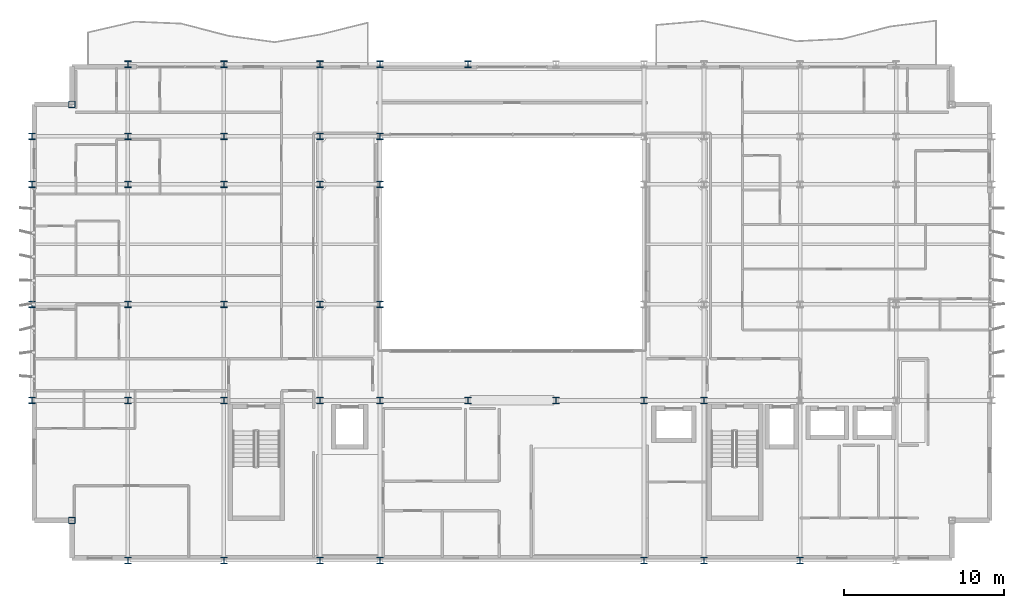
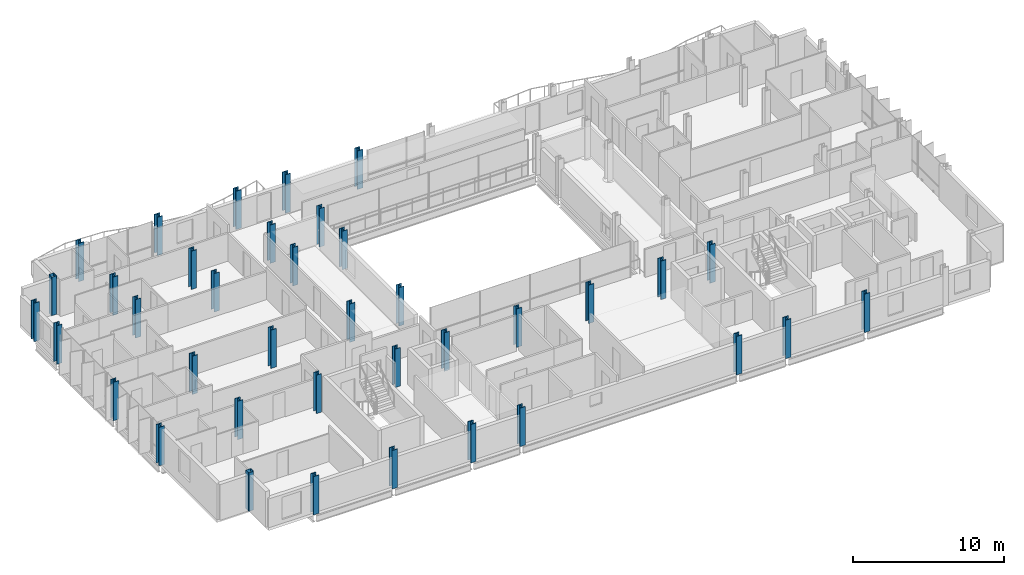
# One storey, part 1 of 40: 38 columns.
"""IFC4 building model written with IfcOpenShell, lengths in metres."""

import ifcopenshell
import ifcopenshell.guid

model = None  # the IFC model being written
_history = None  # IfcOwnerHistory: only IFC2X3 demands one
_inside = {}  # id of a spatial element -> (the spatial element, [elements in it])
_under = {}  # id of a project, library or spatial element -> (it, [spatial elements below it])
_declared = {}  # id of a project -> (the project, [libraries it declares])
_typed = {}  # id of a type object -> (the type object, [elements of that type])
_made_of = {}  # id of a material, layer set ... -> (it, [elements and type objects made of it])


def new_model(schema):
    """Start an empty IFC model of exactly this schema.

    Asked for "IFC4X3", IfcOpenShell would pick the latest addendum, in which some entities
    have other attributes; the version numbers below select the first issue.
    IFC2X3 requires an IfcOwnerHistory on every rooted entity: one is made here for all.
    """
    global model, _history
    if schema == "IFC4X3":
        model = ifcopenshell.file(schema_version=(4, 3, 0, 0))
    else:
        model = ifcopenshell.file(schema=schema)
    _inside.clear()
    _under.clear()
    _declared.clear()
    _typed.clear()
    _made_of.clear()
    _history = None
    if model.schema == "IFC2X3":
        org = make("IfcOrganization", Name="unknown")
        user = make(
            "IfcPersonAndOrganization",
            ThePerson=make("IfcPerson", FamilyName="unknown"),
            TheOrganization=org,
        )
        app = make(
            "IfcApplication",
            ApplicationDeveloper=org,
            Version="unknown",
            ApplicationFullName="unknown",
            ApplicationIdentifier="unknown",
        )
        _history = make(
            "IfcOwnerHistory",
            OwningUser=user,
            OwningApplication=app,
            ChangeAction="ADDED",
            CreationDate=0,
        )
    return model


def make(cls, **values):
    """One entity of the class cls with the attributes given. An attribute that is None is left unset."""
    return model.create_entity(
        cls, **{name: value for name, value in values.items() if value is not None}
    )


def rooted(cls, **values):
    """An entity with a GlobalId (a new one), such as an element, a storey or a relation."""
    return make(cls, GlobalId=ifcopenshell.guid.new(), OwnerHistory=_history, **values)


def si_unit(unit_type, name, prefix=None):
    """IfcSIUnit, for example si_unit("LENGTHUNIT", "METRE", prefix="MILLI")."""
    return make("IfcSIUnit", UnitType=unit_type, Prefix=prefix, Name=name)


def assignment(units):
    """IfcUnitAssignment: the units of a project."""
    return None if units is None else make("IfcUnitAssignment", Units=units)


def point(xyz):
    """IfcCartesianPoint."""
    return None if xyz is None else make("IfcCartesianPoint", Coordinates=xyz)


def direction(xyz):
    """IfcDirection."""
    return None if xyz is None else make("IfcDirection", DirectionRatios=xyz)


def frame(location, z_axis=None, x_axis=None):
    """IfcAxis2Placement3D, a coordinate frame: its origin and axes. An axis left out is left unset."""
    return make(
        "IfcAxis2Placement3D",
        Location=point(location),
        Axis=direction(z_axis),
        RefDirection=direction(x_axis),
    )


def frame_2d(location, x_axis=None):
    """IfcAxis2Placement2D, a coordinate frame in the plane: its origin and x axis."""
    return make(
        "IfcAxis2Placement2D", Location=point(location), RefDirection=direction(x_axis)
    )


def origin():
    """The frame at (0, 0, 0) with its axes left unset."""
    return frame((0.0, 0.0, 0.0))


def origin_2d():
    """The frame at (0, 0) in the plane with its x axis left unset."""
    return frame_2d((0.0, 0.0))


def place(relative_to, where):
    """IfcLocalPlacement: puts the frame where relative to a parent placement (None: the world)."""
    return make(
        "IfcLocalPlacement", PlacementRelTo=relative_to, RelativePlacement=where
    )


def context(
    kind, dimensions, precision=None, world=None, true_north=None, identifier=None
):
    """IfcGeometricRepresentationContext, for example the 3D "Model" context."""
    return make(
        "IfcGeometricRepresentationContext",
        ContextIdentifier=identifier,
        ContextType=kind,
        CoordinateSpaceDimension=dimensions,
        Precision=precision,
        WorldCoordinateSystem=world,
        TrueNorth=true_north,
    )


def subcontext(parent, identifier, kind, view, scale=None):
    """IfcGeometricRepresentationSubContext, for example "Body" below "Model"."""
    return make(
        "IfcGeometricRepresentationSubContext",
        ContextIdentifier=identifier,
        ContextType=kind,
        ParentContext=parent,
        TargetScale=scale,
        TargetView=view,
    )


def project(units=None, contexts=None):
    """IfcProject with its units and contexts."""
    return rooted(
        "IfcProject",
        Name="project",
        RepresentationContexts=contexts,
        UnitsInContext=assignment(units),
    )


def spatial(cls, under=None, at=None, **own):
    """A site, building, storey or space (cls), placed at a placement, below another one or the project."""
    s = rooted(cls, ObjectPlacement=at, **own)
    if under is not None:
        _under.setdefault(under.id(), (under, []))[1].append(s)
    return s


def profile(cls, at=None, kind="AREA", **sizes):
    """A parametric profile (cls). Its sizes go by their IFC names, for example OverallWidth=200.0."""
    return make(cls, ProfileType=kind, Position=at, **sizes)


def hollow_rectangle(**sizes):
    """IfcRectangleHollowProfileDef."""
    return profile("IfcRectangleHollowProfileDef", **sizes)


def i_section(**sizes):
    """IfcIShapeProfileDef."""
    return profile("IfcIShapeProfileDef", **sizes)


def extrude(swept, where, along, depth):
    """IfcExtrudedAreaSolid: the profile swept, set in the frame where, extruded along a direction by depth."""
    return make(
        "IfcExtrudedAreaSolid",
        SweptArea=swept,
        Position=where,
        ExtrudedDirection=direction(along),
        Depth=depth,
    )


def shape(context_of_items, identifier, shape_type, items):
    """IfcShapeRepresentation: the items that make up one representation, for example the "Body"."""
    return make(
        "IfcShapeRepresentation",
        ContextOfItems=context_of_items,
        RepresentationIdentifier=identifier,
        RepresentationType=shape_type,
        Items=items,
    )


def material(Name=None, Category=None):
    """IfcMaterial."""
    return make("IfcMaterial", Name=Name, Category=Category)


def material_profile(
    of_material, cross_section, Name=None, Category=None, Priority=None
):
    """IfcMaterialProfile: a cross section and its material."""
    return make(
        "IfcMaterialProfile",
        Name=Name,
        Material=of_material,
        Profile=cross_section,
        Priority=Priority,
        Category=Category,
    )


def profile_set(profiles, Name=None, composite=None):
    """IfcMaterialProfileSet."""
    return make(
        "IfcMaterialProfileSet",
        Name=Name,
        MaterialProfiles=profiles,
        CompositeProfile=composite,
    )


def made_of(thing, what):
    """Note that an element or type object is made of a material, layer set ...; save() writes the relation."""
    if what is not None:
        _made_of.setdefault(what.id(), (what, []))[1].append(thing)
    return thing


def type_object(cls, material=None, **own):
    """A type object (cls), such as IfcWallType, which elements share."""
    return made_of(rooted(cls, **own), material)


def element(
    cls,
    number,
    at=None,
    inside=None,
    cuts=None,
    type_object=None,
    material=None,
    context=None,
    identifier="Body",
    shape_type=None,
    held_by="IfcProductDefinitionShape",
    body=None,
    shapes=None,
    **own,
):
    """One element of the class cls, such as IfcWall. Its Tag is "e" and its number.

    at: its placement. inside: the storey or other place that contains it. cuts: it is an
    opening in that element (IfcRelVoidsElement). A single representation is given by context,
    identifier, shape_type and body (its items); several are given by shapes. held_by: the class
    of the entity that holds the representations. save() writes the other relations.
    """
    e = rooted(cls, Tag="e%d" % number, ObjectPlacement=at, **own)
    if body is not None:
        shapes = [shape(context, identifier, shape_type, body)]
    if shapes is not None:
        e.Representation = make(held_by, Representations=shapes)
    if inside is not None:
        _inside.setdefault(inside.id(), (inside, []))[1].append(e)
    if cuts is not None:
        rooted(
            "IfcRelVoidsElement", RelatingBuildingElement=cuts, RelatedOpeningElement=e
        )
    if type_object is not None:
        _typed.setdefault(type_object.id(), (type_object, []))[1].append(e)
    return made_of(e, material)


def aggregate(whole, parts):
    """IfcRelAggregates: a whole, such as a stair, and the parts it consists of."""
    return rooted("IfcRelAggregates", RelatingObject=whole, RelatedObjects=parts)


def save(model, path):
    """Write the relations noted so far, then the file.

    IfcRelAggregates (storeys below a building ...), IfcRelContainedInSpatialStructure (elements
    in a storey), IfcRelDefinesByType, IfcRelAssociatesMaterial and IfcRelDeclares: one each for
    every whole, place, type object, material and project.
    """
    for whole, parts in _under.values():
        aggregate(whole, parts)
    for where, things in _inside.values():
        rooted(
            "IfcRelContainedInSpatialStructure",
            RelatedElements=things,
            RelatingStructure=where,
        )
    for kind, things in _typed.values():
        rooted("IfcRelDefinesByType", RelatedObjects=things, RelatingType=kind)
    for what, things in _made_of.values():
        rooted("IfcRelAssociatesMaterial", RelatedObjects=things, RelatingMaterial=what)
    for by, libraries in _declared.values():
        rooted("IfcRelDeclares", RelatingContext=by, RelatedDefinitions=libraries)
    model.write(path)


model = new_model("IFC4")

# Units and contexts
model_context = context("Model", 3, precision=1e-05, world=origin(), true_north=direction((0.0, 1.0)))
body_context = subcontext(model_context, "Body", "Model", "MODEL_VIEW")
ifc_project = project(units=[si_unit("LENGTHUNIT", "METRE"), si_unit("AREAUNIT", "SQUARE_METRE"), si_unit("VOLUMEUNIT", "CUBIC_METRE"), si_unit("PLANEANGLEUNIT", "RADIAN"), si_unit("MASSUNIT", "GRAM", prefix="KILO")], contexts=[model_context])

# Site, building, storey
site_placement = place(None, origin())
site = spatial("IfcSite", under=ifc_project, at=site_placement, CompositionType="ELEMENT")
building_placement = place(site_placement, origin())
building = spatial("IfcBuilding", under=site, at=building_placement, Name="Brevholm Reach", CompositionType="ELEMENT")
storey_placement = place(building_placement, frame((0.0, 0.0, 148.0)))
storey = spatial("IfcBuildingStorey", under=building, at=storey_placement, Name="L44", CompositionType="ELEMENT", Elevation=148.0)

# Columns
ifc_material_1 = material(Name="Structural Steel S460NH", Category="steel")
ifc_material_profile_1 = material_profile(ifc_material_1, hollow_rectangle(XDim=0.39990234375, YDim=0.39990234375, WallThickness=0.02001953125, InnerFilletRadius=0.011962890625, OuterFilletRadius=0.02392578125, at=origin_2d()), Name="SHS 400x400x20")
ifc_profile_set_1 = profile_set([ifc_material_profile_1], Name="Structural Steel S460NH")
column_type_1 = type_object("IfcColumnType", Name="COL-SHS2", PredefinedType="COLUMN", material=ifc_profile_set_1)
for number, where, z_axis, x_axis, name in (
    (1, (2.5, 2.5, 0.0), (0.0, 0.0, 1.0), (1.0, 0.0, 0.0), "L44 Column 05"),
    (2, (2.5, 28.5, 0.0), (0.0, 0.0, 1.0), (1.0, 0.0, 0.0), "L44 Column 06"),
):
    element("IfcColumn", number, at=place(storey_placement, frame(where, z_axis=z_axis, x_axis=x_axis)), inside=storey, type_object=column_type_1, Name=name, PredefinedType="COLUMN", context=body_context, shape_type="SweptSolid", body=[
        extrude(hollow_rectangle(XDim=0.39990234375, YDim=0.39990234375, WallThickness=0.02001953125, InnerFilletRadius=0.011962890625, OuterFilletRadius=0.02392578125, at=origin_2d()), origin(), (0.0, 0.0, 1.0), 3.10009765625),
    ])
ifc_material_2 = material(Name="Structural Steel S355J2", Category="steel")
ifc_material_profile_2 = material_profile(ifc_material_2, i_section(OverallWidth=0.406982421875, OverallDepth=0.4189453125, WebThickness=0.030517578125, FlangeThickness=0.04931640625, FilletRadius=0.01513671875, at=origin_2d()), Name="UKC 356x406x393")
ifc_profile_set_2 = profile_set([ifc_material_profile_2], Name="Structural Steel S355J2")
column_type_2 = type_object("IfcColumnType", Name="COL-UC4", PredefinedType="COLUMN", material=ifc_profile_set_2)
for number, where, z_axis, x_axis, name in (
    (3, (0.0, 10.0, 0.0), (0.0, 0.0, 1.0), (1.0, 0.0, 0.0), "L44 Column 01"),
    (4, (0.0, 16.0, 0.0), (0.0, 0.0, 1.0), (1.0, 0.0, 0.0), "L44 Column 02"),
    (5, (0.0, 23.5, 0.0), (0.0, 0.0, 1.0), (1.0, 0.0, 0.0), "L44 Column 03"),
    (6, (0.0, 26.5, 0.0), (0.0, 0.0, 1.0), (1.0, 0.0, 0.0), "L44 Column 04"),
    (7, (6.0, 0.0, 0.0), (0.0, 0.0, 1.0), (1.0, 0.0, 0.0), "L44 Column 07"),
    (8, (6.0, 31.0, 0.0), (0.0, 0.0, 1.0), (1.0, 0.0, 0.0), "L44 Column 12"),
    (9, (12.0, 0.0, 0.0), (0.0, 0.0, 1.0), (1.0, 0.0, 0.0), "L44 Column 13"),
    (10, (12.0, 31.0, 0.0), (0.0, 0.0, 1.0), (1.0, 0.0, 0.0), "L44 Column 18"),
    (11, (18.0, 0.0, 0.0), (0.0, 0.0, 1.0), (1.0, 0.0, 0.0), "L44 Column 19"),
    (12, (18.0, 31.0, 0.0), (0.0, 0.0, 1.0), (1.0, 0.0, 0.0), "L44 Column 24"),
    (13, (21.75, 0.0, 0.0), (0.0, 0.0, 1.0), (1.0, 0.0, 0.0), "L44 Column 25"),
    (14, (21.75, 31.0, 0.0), (0.0, 0.0, 1.0), (1.0, 0.0, 0.0), "L44 Column 30"),
    (15, (27.25, 31.0, 0.0), (0.0, 0.0, 1.0), (1.0, 0.0, 0.0), "L44 Column 32"),
    (16, (38.25, 0.0, 0.0), (0.0, 0.0, 1.0), (1.0, 0.0, 0.0), "L44 Column 35"),
    (17, (42.0, 0.0, 0.0), (0.0, 0.0, 1.0), (1.0, 0.0, 0.0), "L44 Column 41"),
    (18, (48.0, 0.0, 0.0), (0.0, 0.0, 1.0), (1.0, 0.0, 0.0), "L44 Column 47"),
):
    element("IfcColumn", number, at=place(storey_placement, frame(where, z_axis=z_axis, x_axis=x_axis)), inside=storey, type_object=column_type_2, Name=name, PredefinedType="COLUMN", context=body_context, shape_type="SweptSolid", body=[
        extrude(i_section(OverallWidth=0.406982421875, OverallDepth=0.4189453125, WebThickness=0.030517578125, FlangeThickness=0.04931640625, FilletRadius=0.01513671875, at=origin_2d()), origin(), (0.0, 0.0, 1.0), 3.10009765625),
    ])
ifc_material_3 = material(Name="Structural Steel S355J2", Category="steel")
ifc_material_profile_3 = material_profile(ifc_material_3, i_section(OverallWidth=0.403076171875, OverallDepth=0.406494140625, WebThickness=0.026611328125, FlangeThickness=0.04296875, FilletRadius=0.01513671875, at=origin_2d()), Name="UKC 356x406x340")
ifc_profile_set_3 = profile_set([ifc_material_profile_3], Name="Structural Steel S355J2")
column_type_3 = type_object("IfcColumnType", Name="COL-UC5", PredefinedType="COLUMN", material=ifc_profile_set_3)
for number, where, z_axis, x_axis, name in (
    (19, (6.0, 10.0, 0.0), (0.0, 0.0, 1.0), (1.0, 0.0, 0.0), "L44 Column 08"),
    (20, (6.0, 16.0, 0.0), (0.0, 0.0, 1.0), (1.0, 0.0, 0.0), "L44 Column 09"),
    (21, (6.0, 23.5, 0.0), (0.0, 0.0, 1.0), (1.0, 0.0, 0.0), "L44 Column 10"),
    (22, (6.0, 26.5, 0.0), (0.0, 0.0, 1.0), (1.0, 0.0, 0.0), "L44 Column 11"),
    (23, (12.0, 10.0, 0.0), (0.0, 0.0, 1.0), (1.0, 0.0, 0.0), "L44 Column 14"),
    (24, (12.0, 16.0, 0.0), (0.0, 0.0, 1.0), (1.0, 0.0, 0.0), "L44 Column 15"),
    (25, (12.0, 23.5, 0.0), (0.0, 0.0, 1.0), (1.0, 0.0, 0.0), "L44 Column 16"),
    (26, (12.0, 26.5, 0.0), (0.0, 0.0, 1.0), (1.0, 0.0, 0.0), "L44 Column 17"),
    (27, (18.0, 10.0, 0.0), (0.0, 0.0, 1.0), (1.0, 0.0, 0.0), "L44 Column 20"),
    (28, (18.0, 16.0, 0.0), (0.0, 0.0, 1.0), (1.0, 0.0, 0.0), "L44 Column 21"),
    (29, (18.0, 23.5, 0.0), (0.0, 0.0, 1.0), (1.0, 0.0, 0.0), "L44 Column 22"),
    (30, (18.0, 26.5, 0.0), (0.0, 0.0, 1.0), (1.0, 0.0, 0.0), "L44 Column 23"),
    (31, (21.75, 10.0, 0.0), (0.0, 0.0, 1.0), (1.0, 0.0, 0.0), "L44 Column 26"),
    (32, (21.75, 16.0, 0.0), (0.0, 0.0, 1.0), (1.0, 0.0, 0.0), "L44 Column 27"),
    (33, (21.75, 23.5, 0.0), (0.0, 0.0, 1.0), (1.0, 0.0, 0.0), "L44 Column 28"),
    (34, (21.75, 26.5, 0.0), (0.0, 0.0, 1.0), (1.0, 0.0, 0.0), "L44 Column 29"),
    (35, (27.25, 10.0, 0.0), (0.0, 0.0, 1.0), (1.0, 0.0, 0.0), "L44 Column 31"),
    (36, (32.75, 10.0, 0.0), (0.0, 0.0, 1.0), (1.0, 0.0, 0.0), "L44 Column 33"),
    (37, (38.25, 10.0, 0.0), (0.0, 0.0, 1.0), (1.0, 0.0, 0.0), "L44 Column 36"),
    (38, (42.0, 10.0, 0.0), (0.0, 0.0, 1.0), (1.0, 0.0, 0.0), "L44 Column 42"),
):
    element("IfcColumn", number, at=place(storey_placement, frame(where, z_axis=z_axis, x_axis=x_axis)), inside=storey, type_object=column_type_3, Name=name, PredefinedType="COLUMN", context=body_context, shape_type="SweptSolid", body=[
        extrude(i_section(OverallWidth=0.403076171875, OverallDepth=0.406494140625, WebThickness=0.026611328125, FlangeThickness=0.04296875, FilletRadius=0.01513671875, at=origin_2d()), origin(), (0.0, 0.0, 1.0), 3.10009765625),
    ])

save(model, "model.ifc")
